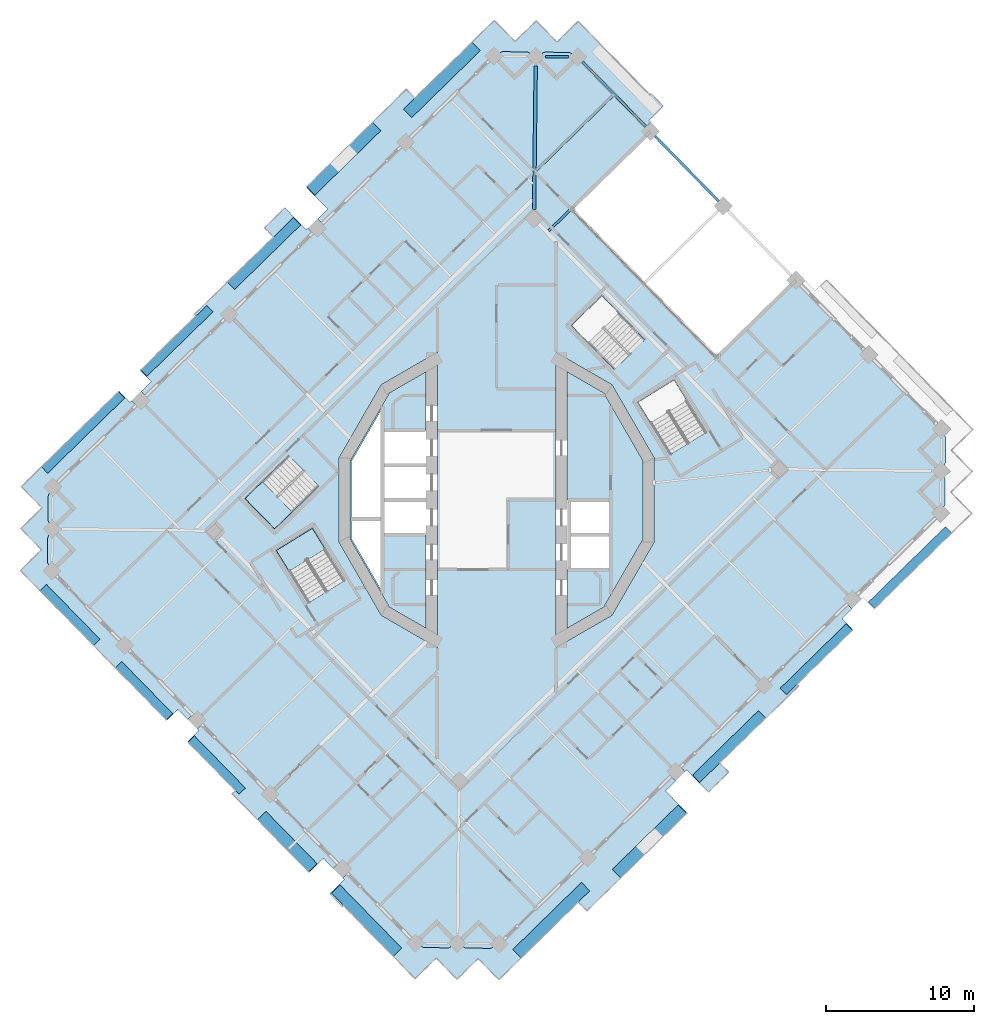
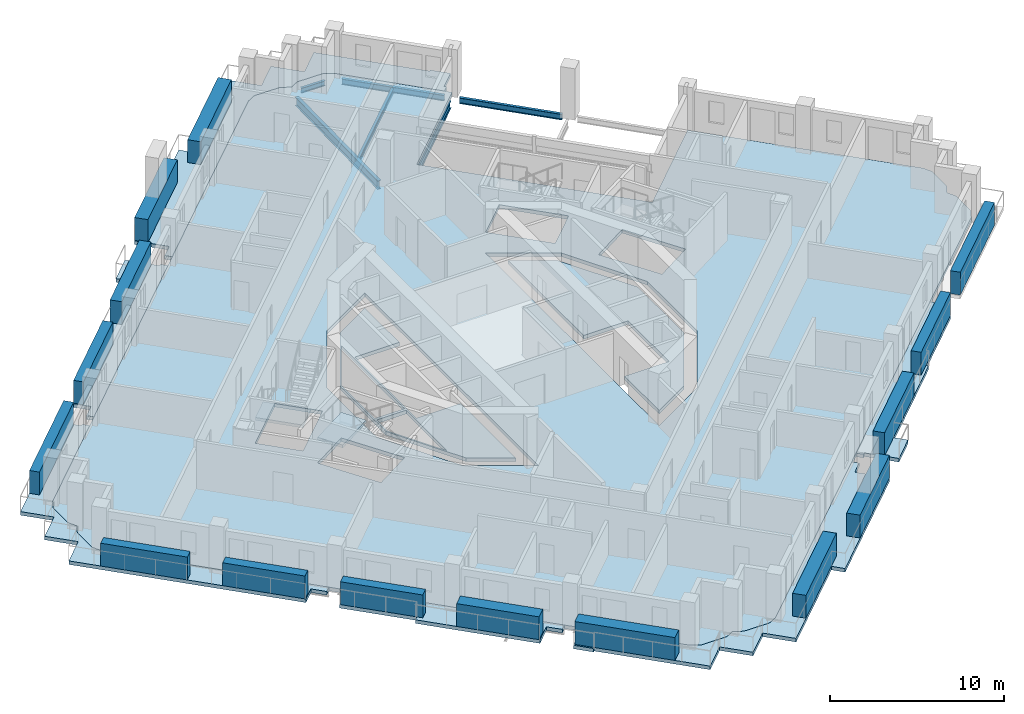
# One storey, part 5 of 20: 15 plates, 11 slabs, 6 beams, 2 elements without a shape of their own.
"""IFC4 building model written with IfcOpenShell, lengths in metres."""

from ifc_helpers import new_model, si_unit, direction, frame, origin, origin_2d, place, context, subcontext, project, spatial, polyline, rectangle, i_section, outline, extrude, material, layer, layer_set, material_profile, profile_set, type_object, element, aggregate, save


model = new_model("IFC4")

# Units and contexts
model_context = context("Model", 3, precision=1e-05, world=origin(), true_north=direction((0.0, 1.0)))
body_context = subcontext(model_context, "Body", "Model", "MODEL_VIEW")
ifc_project = project(units=[si_unit("LENGTHUNIT", "METRE"), si_unit("AREAUNIT", "SQUARE_METRE"), si_unit("VOLUMEUNIT", "CUBIC_METRE"), si_unit("PLANEANGLEUNIT", "RADIAN"), si_unit("MASSUNIT", "GRAM", prefix="KILO")], contexts=[model_context])

# Site, building, storey
site_placement = place(None, origin())
site = spatial("IfcSite", under=ifc_project, at=site_placement, CompositionType="ELEMENT")
building_placement = place(site_placement, origin())
building = spatial("IfcBuilding", under=site, at=building_placement, Name="Cantera Rosa Tower", CompositionType="ELEMENT")
storey_placement = place(building_placement, frame((0.0, 0.0, 209.0)))
storey = spatial("IfcBuildingStorey", under=building, at=storey_placement, Name="L44", CompositionType="ELEMENT", Elevation=209.0)

# Beams
ifc_material_1 = material(Name="Steel ASTM A992 (Fy 345 MPa)", Category="steel")
ifc_material_profile_1 = material_profile(ifc_material_1, i_section(OverallWidth=0.166015625, OverallDepth=0.528076171875, WebThickness=0.009765625, FlangeThickness=0.013671875, FilletRadius=0.0126953125, at=origin_2d()), Name="W530X74")
ifc_profile_set_1 = profile_set([ifc_material_profile_1], Name="Steel ASTM A992 (Fy 345 MPa)")
beam_type_1 = type_object("IfcBeamType", Name="STEEL BEAM W530X74", PredefinedType="BEAM", material=ifc_profile_set_1)
beam_1_placement = place(storey_placement, frame((10.05859375, 24.548583984375, -0.513916015625), z_axis=(-0.71529025682, -0.698827481213, 0.0), x_axis=(0.698827481213, -0.71529025682, 0.0)))
element("IfcBeam", 1, at=beam_1_placement, inside=storey, type_object=beam_type_1, Name="G-Z4-04 L44", PredefinedType="BEAM", context=body_context, shape_type="SweptSolid", body=[
    extrude(i_section(OverallWidth=0.166015625, OverallDepth=0.528076171875, WebThickness=0.009765625, FlangeThickness=0.013671875, FilletRadius=0.0126953125, at=origin_2d()), origin(), (0.0, 0.0, 1.0), 9.14990234375),
])
ifc_material_2 = material(Name="Steel ASTM A992 (Fy 345 MPa)", Category="steel")
ifc_material_profile_2 = material_profile(ifc_material_2, i_section(OverallWidth=0.22802734375, OverallDepth=0.60205078125, WebThickness=0.010498046875, FlangeThickness=0.014892578125, FilletRadius=0.0126953125, at=origin_2d()), Name="W610X101")
ifc_profile_set_2 = profile_set([ifc_material_profile_2], Name="Steel ASTM A992 (Fy 345 MPa)")
beam_type_2 = type_object("IfcBeamType", Name="STEEL BEAM W610X101", PredefinedType="BEAM", material=ifc_profile_set_2)
beam_2_placement = place(storey_placement, frame((2.638916015625, 29.28076171875, -0.551025390625), z_axis=(-0.011618330597, -0.999932504919, 0.0), x_axis=(0.999932504919, -0.011618330597, 0.0)))
element("IfcBeam", 2, at=beam_2_placement, inside=storey, type_object=beam_type_2, Name="CB-Z4-01 L44", PredefinedType="BEAM", context=body_context, shape_type="SweptSolid", body=[
    extrude(i_section(OverallWidth=0.22802734375, OverallDepth=0.60205078125, WebThickness=0.010498046875, FlangeThickness=0.014892578125, FilletRadius=0.0126953125, at=origin_2d()), origin(), (0.0, 0.0, 1.0), 9.687255859375),
])
ifc_material_3 = material(Name="Steel ASTM A992 (Fy 345 MPa)", Category="steel")
ifc_material_profile_3 = material_profile(ifc_material_3, i_section(OverallWidth=0.1708984375, OverallDepth=0.35595703125, WebThickness=0.00732421875, FlangeThickness=0.01171875, FilletRadius=0.010009765625, at=origin_2d()), Name="W360X51")
ifc_profile_set_3 = profile_set([ifc_material_profile_3], Name="Steel ASTM A992 (Fy 345 MPa)")
beam_type_3 = type_object("IfcBeamType", Name="STEEL JOIST W360X51", PredefinedType="JOIST", material=ifc_profile_set_3)
beam_3_placement = place(storey_placement, frame((7.8203125, 27.268798828125, -0.427978515625), z_axis=(-0.715287213552, -0.69883059616, 0.0), x_axis=(0.69883059616, -0.715287213552, 0.0)))
element("IfcBeam", 3, at=beam_3_placement, inside=storey, type_object=beam_type_3, Name="B-Z4-05 L44", PredefinedType="JOIST", context=body_context, shape_type="SweptSolid", body=[
    extrude(i_section(OverallWidth=0.1708984375, OverallDepth=0.35595703125, WebThickness=0.00732421875, FlangeThickness=0.01171875, FilletRadius=0.010009765625, at=origin_2d()), origin(), (0.0, 0.0, 1.0), 7.2099609375),
])
ifc_material_4 = material(Name="Steel ASTM A992 (Fy 345 MPa)", Category="steel")
ifc_material_profile_4 = material_profile(ifc_material_4, i_section(OverallWidth=0.1708984375, OverallDepth=0.35595703125, WebThickness=0.00732421875, FlangeThickness=0.01171875, FilletRadius=0.010009765625, at=origin_2d()), Name="W360X51")
ifc_profile_set_4 = profile_set([ifc_material_profile_4], Name="Steel ASTM A992 (Fy 345 MPa)")
beam_type_4 = type_object("IfcBeamType", Name="STEEL SPANDREL BEAM W360X51", PredefinedType="SPANDREL", material=ifc_profile_set_4)
beam_4_placement = place(storey_placement, frame((4.838134765625, 29.8916015625, -0.427978515625), z_axis=(-0.999930716123, 0.011771276677, 0.0), x_axis=(-0.011771276677, -0.999930716123, 0.0)))
element("IfcBeam", 4, at=beam_4_placement, inside=storey, type_object=beam_type_4, Name="EB-Z4-06 L44", PredefinedType="SPANDREL", context=body_context, shape_type="SweptSolid", body=[
    extrude(i_section(OverallWidth=0.1708984375, OverallDepth=0.35595703125, WebThickness=0.00732421875, FlangeThickness=0.01171875, FilletRadius=0.010009765625, at=origin_2d()), origin(), (0.0, 0.0, 1.0), 1.555419921875),
])
ifc_material_5 = material(Name="Steel ASTM A992 (Fy 345 MPa)", Category="steel")
ifc_material_profile_5 = material_profile(ifc_material_5, i_section(OverallWidth=0.177978515625, OverallDepth=0.406005859375, WebThickness=0.0078125, FlangeThickness=0.0126953125, FilletRadius=0.01025390625, at=origin_2d()), Name="W410X60")
ifc_profile_set_5 = profile_set([ifc_material_profile_5], Name="Steel ASTM A992 (Fy 345 MPa)")
beam_type_5 = type_object("IfcBeamType", Name="STEEL SPANDREL BEAM W410X60", PredefinedType="SPANDREL", material=ifc_profile_set_5)
beam_5_placement = place(storey_placement, frame((14.9716796875, 20.16357421875, -0.452880859375), z_axis=(-0.698841120217, 0.71527693147, 0.0), x_axis=(-0.71527693147, -0.698841120217, 0.0)))
element("IfcBeam", 5, at=beam_5_placement, inside=storey, type_object=beam_type_5, Name="EB-Z4-04 L44", PredefinedType="SPANDREL", context=body_context, shape_type="SweptSolid", body=[
    extrude(i_section(OverallWidth=0.177978515625, OverallDepth=0.406005859375, WebThickness=0.0078125, FlangeThickness=0.0126953125, FilletRadius=0.01025390625, at=origin_2d()), origin(), (0.0, 0.0, 1.0), 6.119873046875),
])
beam_6_placement = place(storey_placement, frame((10.06591796875, 25.184814453125, -0.452880859375), z_axis=(-0.69882117953, 0.715296413412, 0.0), x_axis=(-0.715296413412, -0.69882117953, 0.0)))
element("IfcBeam", 6, at=beam_6_placement, inside=storey, type_object=beam_type_5, Name="EB-Z4-05 L44", PredefinedType="SPANDREL", context=body_context, shape_type="SweptSolid", body=[
    extrude(i_section(OverallWidth=0.177978515625, OverallDepth=0.406005859375, WebThickness=0.0078125, FlangeThickness=0.0126953125, FilletRadius=0.01025390625, at=origin_2d()), origin(), (0.0, 0.0, 1.0), 6.1201171875),
])

# Slabs
ifc_material_6 = material(Name="Concrete C35/45", Category="concrete")
ifc_layer_1 = layer(ifc_material_6, 0.25)
ifc_layer_set_1 = layer_set([ifc_layer_1], Name="COMPOSITE FLOOR SLAB 250 C35/45")
slab_type_1 = type_object("IfcSlabType", Name="COMPOSITE FLOOR SLAB 250 C35/45", PredefinedType="FLOOR", material=ifc_layer_set_1)
slab_1_placement = place(storey_placement, frame((0.0, 0.0, -0.25)))
element("IfcSlab", 7, at=slab_1_placement, inside=storey, type_object=slab_type_1, Name="SLAB L44 floor 1", PredefinedType="FLOOR", context=body_context, shape_type="SweptSolid", body=[
    extrude(outline(polyline([(-4.75, -2.35009765625), (-4.75, -8.660400390625), (-7.22900390625, -7.22900390625), (-9.875244140625, -2.64599609375), (-9.875244140625, 2.64599609375), (-7.22900390625, 7.22900390625), (-4.75, 8.660400390625), (-4.75, 4.699951171875), (-7.699951171875, 4.699951171875), (-7.699951171875, 2.35009765625), (-7.699951171875, 0.0), (-7.699951171875, -2.35009765625), (-4.75, -2.35009765625)]), holes=[polyline([(-7.800048828125, -1.3828125), (-9.775146484375, -1.3828125), (-9.775146484375, -2.619384765625), (-7.800048828125, -6.040283203125), (-7.800048828125, -1.3828125)]), polyline([(-7.800048828125, 6.040283203125), (-9.775146484375, 2.619384765625), (-9.775146484375, -1.1826171875), (-7.800048828125, -1.1826171875), (-7.800048828125, 6.040283203125)])]), origin(), (0.0, 0.0, 1.0), 0.25),
])
slab_2_placement = place(storey_placement, frame((0.0, 0.0, -0.25)))
element("IfcSlab", 8, at=slab_2_placement, inside=storey, type_object=slab_type_1, Name="SLAB L44 floor 2", PredefinedType="FLOOR", context=body_context, shape_type="SweptSolid", body=[
    extrude(outline(polyline([(-2.1279296875, -30.200439453125), (-2.154541015625, -30.1875), (-2.646484375, -29.917236328125), (-3.144287109375, -30.176025390625), (-3.171142578125, -30.188232421875), (-3.198974609375, -30.197998046875), (-3.2275390625, -30.20458984375), (-3.2568359375, -30.208740234375), (-3.2861328125, -30.209716796875), (-4.841796875, -30.191650390625), (-4.87109375, -30.18994140625), (-4.900146484375, -30.185302734375), (-4.9287109375, -30.177734375), (-4.956298828125, -30.16748046875), (-4.982666015625, -30.154541015625), (-5.474609375, -29.88427734375), (-30.003662109375, -4.777587890625), (-30.262451171875, -4.27978515625), (-30.274658203125, -4.2529296875), (-30.2841796875, -4.22509765625), (-30.291015625, -4.196533203125), (-30.295166015625, -4.167236328125), (-30.296142578125, -4.137939453125), (-30.278076171875, -2.58251953125), (-30.2763671875, -2.552978515625), (-30.271484375, -2.52392578125), (-30.26416015625, -2.495361328125), (-30.25390625, -2.4677734375), (-30.240966796875, -2.44140625), (-29.970703125, -1.949462890625), (-30.2294921875, -1.451416015625), (-30.24169921875, -1.4248046875), (-30.25146484375, -1.39697265625), (-30.25830078125, -1.368408203125), (-30.26220703125, -1.339111328125), (-30.26318359375, -1.309814453125), (-30.2451171875, 0.245849609375), (-30.243408203125, 0.275146484375), (-30.23876953125, 0.30419921875), (-30.231201171875, 0.332763671875), (-30.220947265625, 0.3603515625), (-30.2080078125, 0.386962890625), (-29.937744140625, 0.878662109375), (-0.883056640625, 29.26513671875), (-0.181884765625, 29.9501953125), (0.316162109375, 30.208984375), (0.343017578125, 30.22119140625), (0.37060546875, 30.230712890625), (0.3994140625, 30.237548828125), (0.4287109375, 30.24169921875), (0.4580078125, 30.24267578125), (2.013427734375, 30.224609375), (2.04296875, 30.222900390625), (2.072021484375, 30.218017578125), (2.100341796875, 30.210693359375), (2.1279296875, 30.200439453125), (2.154541015625, 30.1875), (2.646484375, 29.917236328125), (3.144287109375, 30.176025390625), (3.171142578125, 30.188232421875), (3.198974609375, 30.197998046875), (3.2275390625, 30.20458984375), (3.2568359375, 30.208740234375), (3.2861328125, 30.209716796875), (4.841796875, 30.191650390625), (4.87109375, 30.18994140625), (4.900146484375, 30.185302734375), (4.9287109375, 30.177734375), (4.956298828125, 30.16748046875), (4.982666015625, 30.154541015625), (5.474609375, 29.88427734375), (10.38037109375, 24.863037109375), (5.015869140625, 19.621826171875), (14.827392578125, 9.5791015625), (20.19189453125, 14.8203125), (30.003662109375, 4.777587890625), (30.262451171875, 4.27978515625), (30.274658203125, 4.2529296875), (30.2841796875, 4.22509765625), (30.291015625, 4.196533203125), (30.295166015625, 4.167236328125), (30.296142578125, 4.137939453125), (30.278076171875, 2.58251953125), (30.2763671875, 2.552978515625), (30.271484375, 2.52392578125), (30.26416015625, 2.495361328125), (30.25390625, 2.4677734375), (30.240966796875, 2.44140625), (29.970703125, 1.949462890625), (30.2294921875, 1.451416015625), (30.24169921875, 1.4248046875), (30.25146484375, 1.39697265625), (30.25830078125, 1.368408203125), (30.26220703125, 1.339111328125), (30.26318359375, 1.309814453125), (30.2451171875, -0.245849609375), (30.243408203125, -0.275146484375), (30.23876953125, -0.30419921875), (30.231201171875, -0.332763671875), (30.220947265625, -0.3603515625), (30.2080078125, -0.386962890625), (29.937744140625, -0.878662109375), (0.883056640625, -29.26513671875), (0.181884765625, -29.9501953125), (-0.316162109375, -30.208984375), (-0.343017578125, -30.22119140625), (-0.37060546875, -30.230712890625), (-0.3994140625, -30.237548828125), (-0.4287109375, -30.24169921875), (-0.4580078125, -30.24267578125), (-2.013427734375, -30.224609375), (-2.04296875, -30.222900390625), (-2.072021484375, -30.218017578125), (-2.100341796875, -30.210693359375), (-2.1279296875, -30.200439453125)]), holes=[polyline([(-12.430908203125, -1.911376953125), (-14.8564453125, -3.407470703125), (-12.68408203125, -6.929443359375), (-10.258544921875, -5.433349609375), (-12.430908203125, -1.911376953125)]), polyline([(-7.7783203125, 7.7783203125), (-10.625244140625, 2.846923828125), (-10.625244140625, -2.846923828125), (-7.7783203125, -7.7783203125), (-4.0, -9.95947265625), (-4.0, 9.95947265625), (-7.7783203125, 7.7783203125)]), polyline([(-14.0029296875, 2.9892578125), (-16.962890625, 0.097412109375), (-14.97119140625, -1.941162109375), (-12.01123046875, 0.95068359375), (-14.0029296875, 2.9892578125)]), polyline([(7.7783203125, -7.7783203125), (10.625244140625, -2.846923828125), (10.625244140625, 2.846923828125), (7.7783203125, 7.7783203125), (4.0, 9.95947265625), (4.0, -9.95947265625), (7.7783203125, -7.7783203125)]), polyline([(14.1416015625, 4.566650390625), (11.96923828125, 8.088623046875), (9.54345703125, 6.592529296875), (11.7158203125, 3.070556640625), (14.1416015625, 4.566650390625)]), polyline([(9.9892578125, 10.802978515625), (7.097412109375, 13.762939453125), (5.058837890625, 11.771240234375), (7.95068359375, 8.811279296875), (9.9892578125, 10.802978515625)])]), origin(), (0.0, 0.0, 1.0), 0.25),
])
slab_3_placement = place(storey_placement, frame((0.0, 0.0, -0.25)))
element("IfcSlab", 9, at=slab_3_placement, inside=storey, type_object=slab_type_1, Name="SLAB L44 floor 3", PredefinedType="FLOOR", context=body_context, shape_type="SweptSolid", body=[
    extrude(outline(polyline([(7.699951171875, -2.35009765625), (7.699951171875, 0.0), (4.75, 0.0), (4.75, 8.660400390625), (7.22900390625, 7.22900390625), (9.875244140625, 2.64599609375), (9.875244140625, -2.64599609375), (7.22900390625, -7.22900390625), (4.75, -8.660400390625), (4.75, -4.699951171875), (7.699951171875, -4.699951171875), (7.699951171875, -2.35009765625)])), origin(), (0.0, 0.0, 1.0), 0.25),
])
ifc_material_7 = material(Name="Concrete C35/45", Category="concrete")
ifc_layer_2 = layer(ifc_material_7, 0.25)
ifc_layer_set_2 = layer_set([ifc_layer_2], Name="LOGGIA SLAB 250 C35/45")
slab_type_2 = type_object("IfcSlabType", Name="LOGGIA SLAB 250 C35/45", PredefinedType="FLOOR", material=ifc_layer_set_2)
slab_4_placement = place(storey_placement, frame((0.0, 0.0, -0.25)))
element("IfcSlab", 10, at=slab_4_placement, inside=storey, type_object=slab_type_2, Name="LOGGIA SLAB L44 1", PredefinedType="FLOOR", context=body_context, shape_type="SweptSolid", body=[
    extrude(outline(polyline([(-27.218994140625, -9.7744140625), (-31.076416015625, -5.825927734375), (-32.124755859375, -4.753173828125), (-31.0517578125, -3.704833984375), (-30.694091796875, -3.35546875), (-31.043701171875, -2.997802734375), (-32.091796875, -1.9248046875), (-31.018798828125, -0.876708984375), (-30.661376953125, -0.527099609375), (-31.0107421875, -0.16943359375), (-32.05908203125, 0.9033203125), (-30.986083984375, 1.95166015625), (-26.10791015625, 6.7177734375), (-25.464111328125, 7.3466796875), (-24.730224609375, 6.595703125), (-24.622802734375, 6.700439453125), (-24.30859375, 6.37841796875), (-29.937744140625, 0.878662109375), (-30.2080078125, 0.386962890625), (-30.220947265625, 0.3603515625), (-30.231201171875, 0.332763671875), (-30.23876953125, 0.30419921875), (-30.243408203125, 0.275146484375), (-30.2451171875, 0.245849609375), (-30.26318359375, -1.309814453125), (-30.26220703125, -1.339111328125), (-30.25830078125, -1.368408203125), (-30.25146484375, -1.39697265625), (-30.24169921875, -1.4248046875), (-30.2294921875, -1.451416015625), (-29.970703125, -1.949462890625), (-30.240966796875, -2.44140625), (-30.25390625, -2.4677734375), (-30.26416015625, -2.495361328125), (-30.271484375, -2.52392578125), (-30.2763671875, -2.552978515625), (-30.278076171875, -2.58251953125), (-30.296142578125, -4.137939453125), (-30.295166015625, -4.167236328125), (-30.291015625, -4.196533203125), (-30.2841796875, -4.22509765625), (-30.274658203125, -4.2529296875), (-30.262451171875, -4.27978515625), (-30.003662109375, -4.777587890625), (-20.506591796875, -14.49853515625), (-20.828369140625, -14.81298828125), (-21.4921875, -14.13330078125), (-22.243408203125, -14.8671875), (-22.313232421875, -14.795654296875), (-25.12255859375, -11.920166015625), (-27.218994140625, -9.7744140625)])), origin(), (0.0, 0.0, 1.0), 0.25),
])
slab_5_placement = place(storey_placement, frame((0.0, 0.0, -0.25)))
element("IfcSlab", 11, at=slab_5_placement, inside=storey, type_object=slab_type_2, Name="LOGGIA SLAB L44 2", PredefinedType="FLOOR", context=body_context, shape_type="SweptSolid", body=[
    extrude(outline(polyline([(-20.37841796875, 12.534423828125), (-15.0478515625, 17.742431640625), (-15.654052734375, 18.363037109375), (-14.277587890625, 19.7080078125), (-12.827880859375, 18.22412109375), (-12.720703125, 18.3291015625), (-12.406005859375, 18.007080078125), (-23.664794921875, 7.007568359375), (-23.979248046875, 7.329345703125), (-23.2998046875, 7.9931640625), (-24.033447265625, 8.744384765625), (-23.9619140625, 8.814208984375), (-20.268798828125, 12.42236328125), (-20.37841796875, 12.534423828125)])), origin(), (0.0, 0.0, 1.0), 0.25),
])
slab_6_placement = place(storey_placement, frame((0.0, 0.0, -0.25)))
element("IfcSlab", 12, at=slab_6_placement, inside=storey, type_object=slab_type_2, Name="LOGGIA SLAB L44 3", PredefinedType="FLOOR", context=body_context, shape_type="SweptSolid", body=[
    extrude(outline(polyline([(-20.216796875, -16.94140625), (-20.845703125, -16.2978515625), (-20.094482421875, -15.56396484375), (-20.199462890625, -15.456787109375), (-19.87744140625, -15.14208984375), (-10.69482421875, -24.541015625), (-11.016845703125, -24.855712890625), (-11.6806640625, -24.176025390625), (-12.649169921875, -25.122314453125), (-17.837158203125, -19.81201171875), (-17.619873046875, -19.599609375), (-20.216796875, -16.94140625)])), origin(), (0.0, 0.0, 1.0), 0.25),
])
slab_7_placement = place(storey_placement, frame((0.0, 0.0, -0.25)))
element("IfcSlab", 13, at=slab_7_placement, inside=storey, type_object=slab_type_2, Name="LOGGIA SLAB L44 4", PredefinedType="FLOOR", context=body_context, shape_type="SweptSolid", body=[
    extrude(outline(polyline([(-1.369873046875, 31.166015625), (-0.15380859375, 32.35400390625), (1.0341796875, 31.13818359375), (1.243896484375, 30.923583984375), (1.45849609375, 31.13330078125), (2.67431640625, 32.3212890625), (3.8623046875, 31.105224609375), (4.072021484375, 30.890625), (4.28662109375, 31.100341796875), (5.502685546875, 32.288330078125), (6.690673828125, 31.072265625), (10.335693359375, 27.34130859375), (10.41015625, 27.4140625), (11.25146484375, 26.552734375), (10.282958984375, 25.606689453125), (10.3876953125, 25.499267578125), (10.06591796875, 25.184814453125), (5.474609375, 29.88427734375), (4.982666015625, 30.154541015625), (4.956298828125, 30.16748046875), (4.9287109375, 30.177734375), (4.900146484375, 30.185302734375), (4.87109375, 30.18994140625), (4.841796875, 30.191650390625), (3.2861328125, 30.209716796875), (3.2568359375, 30.208740234375), (3.2275390625, 30.20458984375), (3.198974609375, 30.197998046875), (3.171142578125, 30.188232421875), (3.144287109375, 30.176025390625), (2.646484375, 29.917236328125), (2.154541015625, 30.1875), (2.1279296875, 30.200439453125), (2.100341796875, 30.210693359375), (2.072021484375, 30.218017578125), (2.04296875, 30.222900390625), (2.013427734375, 30.224609375), (0.4580078125, 30.24267578125), (0.4287109375, 30.24169921875), (0.3994140625, 30.237548828125), (0.37060546875, 30.230712890625), (0.343017578125, 30.22119140625), (0.316162109375, 30.208984375), (-0.181884765625, 29.9501953125), (-0.883056640625, 29.26513671875), (-11.76220703125, 18.635986328125), (-12.076904296875, 18.9580078125), (-11.397216796875, 19.621826171875), (-12.846923828125, 21.105712890625), (-6.091552734375, 27.705810546875), (-5.515380859375, 27.115966796875), (-1.369873046875, 31.166015625)])), origin(), (0.0, 0.0, 1.0), 0.25),
])
slab_8_placement = place(storey_placement, frame((0.0, 0.0, -0.25)))
element("IfcSlab", 14, at=slab_8_placement, inside=storey, type_object=slab_type_2, Name="LOGGIA SLAB L44 5", PredefinedType="FLOOR", context=body_context, shape_type="SweptSolid", body=[
    extrude(outline(polyline([(1.369873046875, -31.166015625), (0.15380859375, -32.35400390625), (-1.0341796875, -31.13818359375), (-1.243896484375, -30.923583984375), (-1.45849609375, -31.13330078125), (-2.67431640625, -32.3212890625), (-3.8623046875, -31.105224609375), (-4.072021484375, -30.890625), (-4.28662109375, -31.100341796875), (-5.502685546875, -32.288330078125), (-6.690673828125, -31.072265625), (-10.335693359375, -27.34130859375), (-10.41015625, -27.4140625), (-11.25146484375, -26.552734375), (-10.282958984375, -25.606689453125), (-10.3876953125, -25.499267578125), (-10.06591796875, -25.184814453125), (-5.474609375, -29.88427734375), (-4.982666015625, -30.154541015625), (-4.956298828125, -30.16748046875), (-4.9287109375, -30.177734375), (-4.900146484375, -30.185302734375), (-4.87109375, -30.18994140625), (-4.841796875, -30.191650390625), (-3.2861328125, -30.209716796875), (-3.2568359375, -30.208740234375), (-3.2275390625, -30.20458984375), (-3.198974609375, -30.197998046875), (-3.171142578125, -30.188232421875), (-3.144287109375, -30.176025390625), (-2.646484375, -29.917236328125), (-2.154541015625, -30.1875), (-2.1279296875, -30.200439453125), (-2.100341796875, -30.210693359375), (-2.072021484375, -30.218017578125), (-2.04296875, -30.222900390625), (-2.013427734375, -30.224609375), (-0.4580078125, -30.24267578125), (-0.4287109375, -30.24169921875), (-0.3994140625, -30.237548828125), (-0.37060546875, -30.230712890625), (-0.343017578125, -30.22119140625), (-0.316162109375, -30.208984375), (0.181884765625, -29.9501953125), (0.883056640625, -29.26513671875), (11.76220703125, -18.635986328125), (12.076904296875, -18.9580078125), (11.397216796875, -19.621826171875), (12.846923828125, -21.105712890625), (6.091552734375, -27.705810546875), (5.515380859375, -27.115966796875), (1.369873046875, -31.166015625)])), origin(), (0.0, 0.0, 1.0), 0.25),
])
slab_9_placement = place(storey_placement, frame((0.0, 0.0, -0.25)))
element("IfcSlab", 15, at=slab_9_placement, inside=storey, type_object=slab_type_2, Name="LOGGIA SLAB L44 6", PredefinedType="FLOOR", context=body_context, shape_type="SweptSolid", body=[
    extrude(outline(polyline([(12.827880859375, -18.22412109375), (12.720703125, -18.3291015625), (12.406005859375, -18.007080078125), (23.664794921875, -7.007568359375), (23.979248046875, -7.329345703125), (23.2998046875, -7.9931640625), (24.033447265625, -8.744384765625), (23.9619140625, -8.814208984375), (20.268798828125, -12.42236328125), (20.37841796875, -12.534423828125), (15.0478515625, -17.742431640625), (15.654052734375, -18.363037109375), (14.277587890625, -19.7080078125), (12.827880859375, -18.22412109375)])), origin(), (0.0, 0.0, 1.0), 0.25),
])

# Plates
ifc_material_8 = material(Name="Cantera stone planter with soil", Category="masonry")
plate_type_1 = type_object("IfcPlateType", Name="PLANTER 600", PredefinedType="USERDEFINED", material=ifc_material_8)
plate_1_placement = place(storey_placement, frame((-21.5634765625, 10.738037109375, 0.0), z_axis=(0.0, 0.0, 1.0), x_axis=(-0.71528629107, -0.698831540364, 0.0)))
element("IfcPlate", 16, at=plate_1_placement, inside=storey, type_object=plate_type_1, Name="PLANTER L44-09", ObjectType="PLANTER", PredefinedType="USERDEFINED", context=body_context, shape_type="SweptSolid", body=[
    extrude(rectangle(XDim=6.219970703125, YDim=0.60009765625, at=origin_2d()), origin(), (0.0, 0.0, 1.0), 1.60009765625),
])
plate_2_placement = place(storey_placement, frame((-27.89013671875, 4.556884765625, 0.0), z_axis=(0.0, 0.0, 1.0), x_axis=(-0.71528629107, -0.698831540364, 0.0)))
element("IfcPlate", 17, at=plate_2_placement, inside=storey, type_object=plate_type_1, Name="PLANTER L44-10", ObjectType="PLANTER", PredefinedType="USERDEFINED", context=body_context, shape_type="SweptSolid", body=[
    extrude(rectangle(XDim=7.27001953125, YDim=0.60009765625, at=origin_2d()), origin(), (0.0, 0.0, 1.0), 1.60009765625),
])
plate_3_placement = place(storey_placement, frame((-28.77587890625, -7.75146484375, 0.0), z_axis=(0.0, 0.0, 1.0), x_axis=(0.698831540364, -0.71528629107, 0.0)))
element("IfcPlate", 18, at=plate_3_placement, inside=storey, type_object=plate_type_1, Name="PLANTER L44-11", ObjectType="PLANTER", PredefinedType="USERDEFINED", context=body_context, shape_type="SweptSolid", body=[
    extrude(rectangle(XDim=5.169921875, YDim=0.60009765625, at=origin_2d()), origin(), (0.0, 0.0, 1.0), 1.60009765625),
])
for number, where, z_axis, x_axis, name in (
    (19, (-23.78271484375, -12.8623046875, 0.0), (0.0, 0.0, 1.0), (0.698831540364, -0.71528629107, 0.0), "PLANTER L44-12"),
    (20, (-18.876953125, -17.883544921875, 0.0), (0.0, 0.0, 1.0), (0.698831540364, -0.71528629107, 0.0), "PLANTER L44-13"),
):
    element("IfcPlate", number, at=place(storey_placement, frame(where, z_axis=z_axis, x_axis=x_axis)), inside=storey, type_object=plate_type_1, Name=name, ObjectType="PLANTER", PredefinedType="USERDEFINED", context=body_context, shape_type="SweptSolid", body=[
        extrude(rectangle(XDim=4.919921875, YDim=0.60009765625, at=origin_2d()), origin(), (0.0, 0.0, 1.0), 1.60009765625),
    ])
plate_4_placement = place(storey_placement, frame((21.5634765625, -10.738037109375, 0.0), z_axis=(0.0, 0.0, 1.0), x_axis=(0.71528629107, 0.698831540364, 0.0)))
element("IfcPlate", 21, at=plate_4_placement, inside=storey, type_object=plate_type_1, Name="PLANTER L44-19", ObjectType="PLANTER", PredefinedType="USERDEFINED", context=body_context, shape_type="SweptSolid", body=[
    extrude(rectangle(XDim=6.219970703125, YDim=0.60009765625, at=origin_2d()), origin(), (0.0, 0.0, 1.0), 1.60009765625),
])
plate_5_placement = place(storey_placement, frame((27.89013671875, -4.556884765625, 0.0), z_axis=(0.0, 0.0, 1.0), x_axis=(0.71528629107, 0.698831540364, 0.0)))
element("IfcPlate", 22, at=plate_5_placement, inside=storey, type_object=plate_type_1, Name="PLANTER L44-20", ObjectType="PLANTER", PredefinedType="USERDEFINED", context=body_context, shape_type="SweptSolid", body=[
    extrude(rectangle(XDim=7.27001953125, YDim=0.60009765625, at=origin_2d()), origin(), (0.0, 0.0, 1.0), 1.60009765625),
])
ifc_material_9 = material(Name="Cantera stone planter with soil", Category="masonry")
plate_type_2 = type_object("IfcPlateType", Name="PLANTER 700", PredefinedType="USERDEFINED", material=ifc_material_9)
for number, where, z_axis, x_axis, name in (
    (23, (-15.68701171875, 16.628662109375, 0.0), (0.0, 0.0, 1.0), (-0.71528629107, -0.698831540364, 0.0), "PLANTER L44-08"),
    (24, (15.68701171875, -16.628662109375, 0.0), (0.0, 0.0, 1.0), (0.71528629107, 0.698831540364, 0.0), "PLANTER L44-18"),
):
    element("IfcPlate", number, at=place(storey_placement, frame(where, z_axis=z_axis, x_axis=x_axis)), inside=storey, type_object=plate_type_2, Name=name, ObjectType="PLANTER", PredefinedType="USERDEFINED", context=body_context, shape_type="SweptSolid", body=[
        extrude(rectangle(XDim=6.219970703125, YDim=0.699951171875, at=origin_2d()), origin(), (0.0, 0.0, 1.0), 1.60009765625),
    ])
ifc_material_10 = material(Name="Cantera stone planter with soil", Category="masonry")
plate_type_3 = type_object("IfcPlateType", Name="PLANTER 800", PredefinedType="USERDEFINED", material=ifc_material_10)
plate_6_placement = place(storey_placement, frame((-3.6904296875, 28.33984375, 0.0), z_axis=(0.0, 0.0, 1.0), x_axis=(-0.71528629107, -0.698831540364, 0.0)))
element("IfcPlate", 25, at=plate_6_placement, inside=storey, type_object=plate_type_3, Name="PLANTER L44-06", ObjectType="PLANTER", PredefinedType="USERDEFINED", context=body_context, shape_type="SweptSolid", body=[
    extrude(rectangle(XDim=6.469970703125, YDim=0.800048828125, at=origin_2d()), origin(), (0.0, 0.0, 1.0), 1.60009765625),
])
plate_7_placement = place(storey_placement, frame((-10.30712890625, 23.02783203125, 0.0), z_axis=(0.0, 0.0, 1.0), x_axis=(-0.71528629107, -0.698831540364, 0.0)))
element("IfcPlate", 26, at=plate_7_placement, inside=storey, type_object=plate_type_3, Name="PLANTER L44-07", ObjectType="PLANTER", PredefinedType="USERDEFINED", context=body_context, shape_type="SweptSolid", body=[
    extrude(rectangle(XDim=6.219970703125, YDim=0.800048828125, at=origin_2d()), origin(), (0.0, 0.0, 1.0), 1.60009765625),
])
plate_8_placement = place(storey_placement, frame((-14.1171875, -23.04736328125, 0.0), z_axis=(0.0, 0.0, 1.0), x_axis=(0.698831540364, -0.71528629107, 0.0)))
element("IfcPlate", 27, at=plate_8_placement, inside=storey, type_object=plate_type_3, Name="PLANTER L44-14", ObjectType="PLANTER", PredefinedType="USERDEFINED", context=body_context, shape_type="SweptSolid", body=[
    extrude(rectangle(XDim=4.919921875, YDim=0.800048828125, at=origin_2d()), origin(), (0.0, 0.0, 1.0), 1.60009765625),
])
plate_9_placement = place(storey_placement, frame((-8.77001953125, -28.37158203125, 0.0), z_axis=(0.0, 0.0, 1.0), x_axis=(0.698831540364, -0.71528629107, 0.0)))
element("IfcPlate", 28, at=plate_9_placement, inside=storey, type_object=plate_type_3, Name="PLANTER L44-15", ObjectType="PLANTER", PredefinedType="USERDEFINED", context=body_context, shape_type="SweptSolid", body=[
    extrude(rectangle(XDim=5.969970703125, YDim=0.800048828125, at=origin_2d()), origin(), (0.0, 0.0, 1.0), 1.60009765625),
])
plate_10_placement = place(storey_placement, frame((3.6904296875, -28.33984375, 0.0), z_axis=(0.0, 0.0, 1.0), x_axis=(0.71528629107, 0.698831540364, 0.0)))
element("IfcPlate", 29, at=plate_10_placement, inside=storey, type_object=plate_type_3, Name="PLANTER L44-16", ObjectType="PLANTER", PredefinedType="USERDEFINED", context=body_context, shape_type="SweptSolid", body=[
    extrude(rectangle(XDim=6.469970703125, YDim=0.800048828125, at=origin_2d()), origin(), (0.0, 0.0, 1.0), 1.60009765625),
])
plate_11_placement = place(storey_placement, frame((10.30712890625, -23.02783203125, 0.0), z_axis=(0.0, 0.0, 1.0), x_axis=(0.71528629107, 0.698831540364, 0.0)))
element("IfcPlate", 30, at=plate_11_placement, inside=storey, type_object=plate_type_3, Name="PLANTER L44-17", ObjectType="PLANTER", PredefinedType="USERDEFINED", context=body_context, shape_type="SweptSolid", body=[
    extrude(rectangle(XDim=6.219970703125, YDim=0.800048828125, at=origin_2d()), origin(), (0.0, 0.0, 1.0), 1.60009765625),
])

# Stair, slab
ifc_material_11 = material(Name="Concrete C35/45", Category="concrete")
stair_type = type_object("IfcStairType", Name="EXIT STAIR 1350 DOGLEG", PredefinedType="HALF_TURN_STAIR", material=ifc_material_11)
stair_1_placement = place(storey_placement, origin())
stair_1 = element("IfcStair", 31, at=stair_1_placement, inside=storey, type_object=stair_type, Name="L44 ST-43", PredefinedType="HALF_TURN_STAIR")
ifc_material_12 = material(Name="Concrete C35/45", Category="concrete")
ifc_layer_3 = layer(ifc_material_12, 0.199951171875)
ifc_layer_set_3 = layer_set([ifc_layer_3], Name="STAIR LANDING 200")
slab_type_3 = type_object("IfcSlabType", Name="STAIR LANDING 200", PredefinedType="LANDING", material=ifc_layer_set_3)
slab_10_placement = place(storey_placement, frame((0.0, 0.0, 1.60009765625)))
slab_10 = element("IfcSlab", 32, at=slab_10_placement, type_object=slab_type_3, Name="ST-43 landing 1", PredefinedType="LANDING", context=body_context, shape_type="SweptSolid", body=[
    extrude(outline(polyline([(-15.788330078125, 1.244873046875), (-16.962890625, 0.097412109375), (-14.97119140625, -1.941162109375), (-13.796630859375, -0.793701171875), (-15.788330078125, 1.244873046875)])), origin(), (0.0, 0.0, 1.0), 0.199951171875),
])
aggregate(stair_1, [slab_10])

stair_2_placement = place(storey_placement, origin())
stair_2 = element("IfcStair", 33, at=stair_2_placement, inside=storey, type_object=stair_type, Name="L44 ST-44", PredefinedType="HALF_TURN_STAIR")
slab_11_placement = place(storey_placement, frame((0.0, 0.0, 1.60009765625)))
slab_11 = element("IfcSlab", 34, at=slab_11_placement, type_object=slab_type_3, Name="ST-44 landing 1", PredefinedType="LANDING", context=body_context, shape_type="SweptSolid", body=[
    extrude(outline(polyline([(-11.56884765625, -3.308837890625), (-12.430908203125, -1.911376953125), (-14.8564453125, -3.407470703125), (-13.99462890625, -4.80517578125), (-11.56884765625, -3.308837890625)])), origin(), (0.0, 0.0, 1.0), 0.199951171875),
])
aggregate(stair_2, [slab_11])

save(model, "model.ifc")
